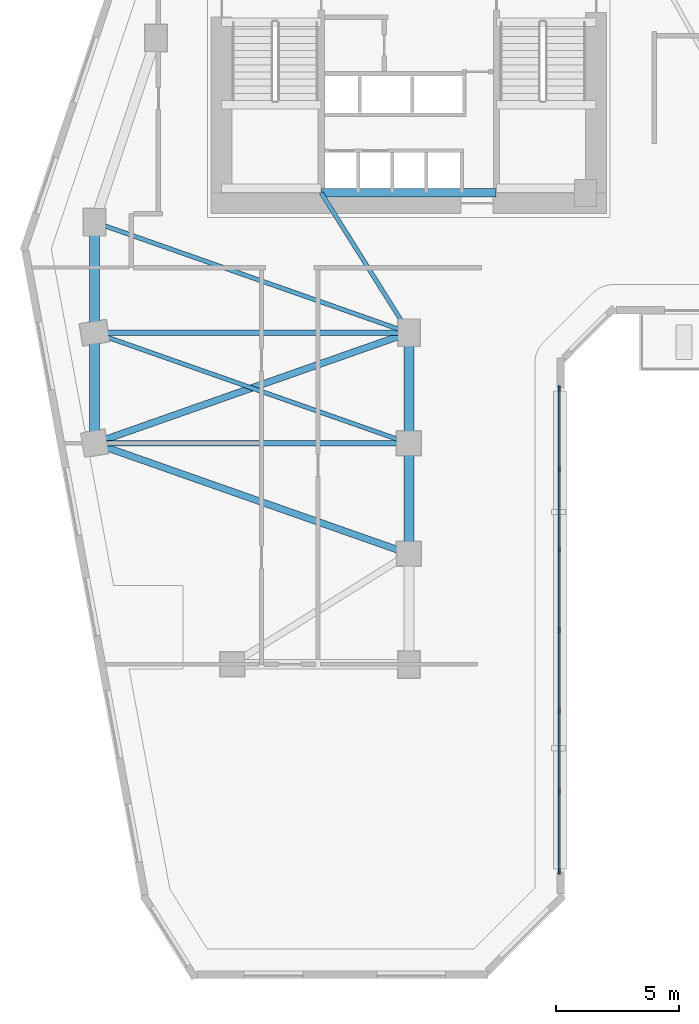
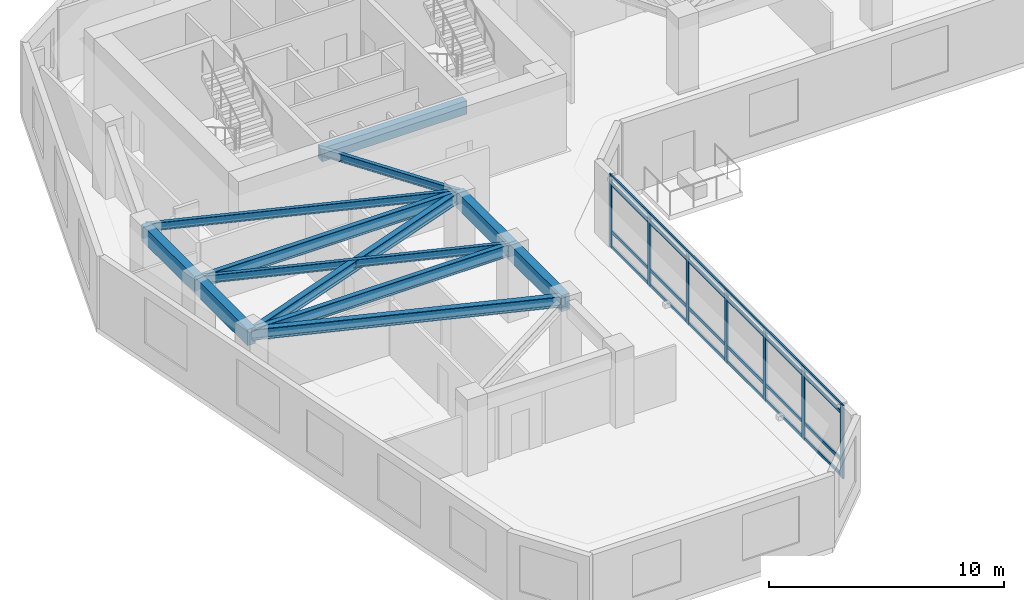
# One storey, part 2 of 12: 12 beams, 11 members, 1 element without a shape of its own.
"""IFC4 building model written with IfcOpenShell, lengths in metres."""

from ifc_helpers import new_model, si_unit, direction, frame, origin, origin_2d, place, context, subcontext, project, spatial, rectangle, i_section, extrude, source, transform, mapped, material, material_profile, profile_set, type_object, element, aggregate, save


model = new_model("IFC4")

# Units and contexts
model_context = context("Model", 3, precision=1e-05, world=origin(), true_north=direction((0.0, 1.0)))
body_context = subcontext(model_context, "Body", "Model", "MODEL_VIEW")
ifc_project = project(units=[si_unit("LENGTHUNIT", "METRE"), si_unit("AREAUNIT", "SQUARE_METRE"), si_unit("VOLUMEUNIT", "CUBIC_METRE"), si_unit("PLANEANGLEUNIT", "RADIAN"), si_unit("MASSUNIT", "GRAM", prefix="KILO")], contexts=[model_context])

# Site, building, storey
site_placement = place(None, origin())
site = spatial("IfcSite", under=ifc_project, at=site_placement, CompositionType="ELEMENT")
building_placement = place(site_placement, origin())
building = spatial("IfcBuilding", under=site, at=building_placement, Name="Calvemar Wedge Station Tower", CompositionType="ELEMENT")
storey_placement = place(building_placement, frame((0.0, 0.0, 39.0)))
storey = spatial("IfcBuildingStorey", under=building, at=storey_placement, Name="L09", CompositionType="ELEMENT", Elevation=39.0)

# Beams
ifc_material_1 = material(Name="Concrete C60", Category="concrete")
ifc_material_profile_1 = material_profile(ifc_material_1, rectangle(XDim=0.39990234375, YDim=0.85009765625, at=origin_2d()), Name="RC400x850")
ifc_profile_set_1 = profile_set([ifc_material_profile_1], Name="Concrete C60")
beam_type_1 = type_object("IfcBeamType", Name="BM-SP1-850", PredefinedType="SPANDREL", material=ifc_profile_set_1)
shared_shape_1 = source(origin(), body_context, "Body", "SweptSolid", [
    extrude(rectangle(XDim=0.39990234375, YDim=0.85009765625, at=origin_2d()), origin(), (0.0, 0.0, 1.0), 4.5),
])
for number, where, z_axis, x_axis, name in (
    (1, (11.0, 33.0, 3.324951171875), (0.0, -1.0, 0.0), (1.0, 0.0, 0.0), "Storey L09 Spandrel T-NW1-T-SW1"),
    (2, (11.0, 28.5, 3.324951171875), (0.0, -1.0, 0.0), (1.0, 0.0, 0.0), "Storey L09 Spandrel T-SW1-T-SW2"),
    (3, (23.800048828125, 28.5, 3.324951171875), (0.0, -1.0, 0.0), (1.0, 0.0, 0.0), "Storey L09 Spandrel T-SE1-T-SE2"),
    (4, (23.800048828125, 24.0, 3.324951171875), (0.0, -1.0, 0.0), (1.0, 0.0, 0.0), "Storey L09 Spandrel T-SE2-T-SE3"),
):
    element("IfcBeam", number, at=place(storey_placement, frame(where, z_axis=z_axis, x_axis=x_axis)), inside=storey, type_object=beam_type_1, Name=name, PredefinedType="SPANDREL", context=body_context, shape_type="MappedRepresentation", body=[
        mapped(shared_shape_1, transform((0.0, 0.0, 0.0), scale=1.0)),
    ])
ifc_material_2 = material(Name="Structural steel ASTM A572 Grade 50", Category="steel")
ifc_material_profile_2 = material_profile(ifc_material_2, i_section(OverallWidth=0.22998046875, OverallDepth=0.616943359375, WebThickness=0.01318359375, FlangeThickness=0.022216796875, FilletRadius=0.012939453125, at=origin_2d()), Name="W610x140")
ifc_profile_set_2 = profile_set([ifc_material_profile_2], Name="Structural steel ASTM A572 Grade 50")
beam_type_2 = type_object("IfcBeamType", Name="BM-SB2-W610", PredefinedType="BEAM", material=ifc_profile_set_2)
shared_shape_2 = source(origin(), body_context, "Body", "SweptSolid", [
    extrude(i_section(OverallWidth=0.22998046875, OverallDepth=0.616943359375, WebThickness=0.01318359375, FlangeThickness=0.022216796875, FilletRadius=0.012939453125, at=origin_2d()), origin(), (0.0, 0.0, 1.0), 12.800048828125),
])
for number, where, z_axis, x_axis, name in (
    (5, (11.0, 28.5, 3.44140625), (1.0, 0.0, 0.0), (0.0, 1.0, 0.0), "Storey L09 Floor Beam T-SW1-T-SE1"),
    (6, (11.0, 24.0, 3.44140625), (1.0, 0.0, 0.0), (0.0, 1.0, 0.0), "Storey L09 Floor Beam T-SW2-T-SE2"),
):
    element("IfcBeam", number, at=place(storey_placement, frame(where, z_axis=z_axis, x_axis=x_axis)), inside=storey, type_object=beam_type_2, Name=name, PredefinedType="BEAM", context=body_context, shape_type="MappedRepresentation", body=[
        mapped(shared_shape_2, transform((0.0, 0.0, 0.0), scale=1.0)),
    ])
ifc_material_profile_3 = material_profile(ifc_material_2, i_section(OverallWidth=0.177978515625, OverallDepth=0.406982421875, WebThickness=0.0078125, FlangeThickness=0.0126953125, FilletRadius=0.010009765625, at=origin_2d()), Name="W410x60")
ifc_profile_set_3 = profile_set([ifc_material_profile_3], Name="Structural steel ASTM A572 Grade 50")
beam_type_3 = type_object("IfcBeamType", Name="BM-J3-W410", PredefinedType="JOIST", material=ifc_profile_set_3)
shared_shape_3 = source(origin(), body_context, "Body", "SweptSolid", [
    extrude(i_section(OverallWidth=0.177978515625, OverallDepth=0.406982421875, WebThickness=0.0078125, FlangeThickness=0.0126953125, FilletRadius=0.010009765625, at=origin_2d()), origin(), (0.0, 0.0, 1.0), 13.568115234375),
])
for number, where, z_axis, x_axis, name in (
    (7, (11.0, 33.0, 3.54638671875), (0.943398221169, -0.331662171939, 0.0), (0.331662171939, 0.943398221169, 0.0), "Storey L09 Floor Beam T-NW1-T-SE1"),
    (8, (11.0, 28.5, 3.54638671875), (0.943398221169, -0.331662171939, 0.0), (0.331662171939, 0.943398221169, 0.0), "Storey L09 Floor Beam T-SW1-T-SE2"),
):
    element("IfcBeam", number, at=place(storey_placement, frame(where, z_axis=z_axis, x_axis=x_axis)), inside=storey, type_object=beam_type_3, Name=name, PredefinedType="JOIST", context=body_context, shape_type="MappedRepresentation", body=[
        mapped(shared_shape_3, transform((0.0, 0.0, 0.0), scale=1.0)),
    ])
ifc_material_profile_4 = material_profile(ifc_material_2, i_section(OverallWidth=0.279052734375, OverallDepth=0.553955078125, WebThickness=0.017578125, FlangeThickness=0.029541015625, FilletRadius=0.014892578125, at=origin_2d()), Name="W530x196")
ifc_profile_set_4 = profile_set([ifc_material_profile_4], Name="Structural steel ASTM A572 Grade 50")
beam_type_4 = type_object("IfcBeamType", Name="BM-SB3-W530H", PredefinedType="BEAM", material=ifc_profile_set_4)
shared_shape_4 = source(origin(), body_context, "Body", "SweptSolid", [
    extrude(i_section(OverallWidth=0.279052734375, OverallDepth=0.553955078125, WebThickness=0.017578125, FlangeThickness=0.029541015625, FilletRadius=0.014892578125, at=origin_2d()), origin(), (0.0, 0.0, 1.0), 13.568115234375),
])
for number, where, z_axis, x_axis, name in (
    (9, (23.800048828125, 28.5, 3.472900390625), (-0.943398221169, -0.331662171939, 0.0), (0.331662171939, -0.943398221169, 0.0), "Storey L09 Floor Beam T-SE1-T-SW2"),
    (10, (11.0, 24.0, 3.472900390625), (0.943398221169, -0.331662171939, 0.0), (0.331662171939, 0.943398221169, 0.0), "Storey L09 Floor Beam T-SW2-T-SE3"),
):
    element("IfcBeam", number, at=place(storey_placement, frame(where, z_axis=z_axis, x_axis=x_axis)), inside=storey, type_object=beam_type_4, Name=name, PredefinedType="BEAM", context=body_context, shape_type="MappedRepresentation", body=[
        mapped(shared_shape_4, transform((0.0, 0.0, 0.0), scale=1.0)),
    ])
shared_shape_5 = source(origin(), body_context, "Body", "SweptSolid", [
    extrude(i_section(OverallWidth=0.177978515625, OverallDepth=0.406982421875, WebThickness=0.0078125, FlangeThickness=0.0126953125, FilletRadius=0.010009765625, at=origin_2d()), origin(), (0.0, 0.0, 1.0), 6.7255859375),
])
beam_1_placement = place(storey_placement, frame((20.22998046875, 34.199951171875, 3.54638671875), z_axis=(0.530811158438, -0.847490126242, 0.0), x_axis=(0.847490126242, 0.530811158438, 0.0)))
element("IfcBeam", 11, at=beam_1_placement, inside=storey, type_object=beam_type_3, Name="Storey L09 Core-to-Column Joist CJ-S2", PredefinedType="JOIST", context=body_context, shape_type="MappedRepresentation", body=[
    mapped(shared_shape_5, transform((0.0, 0.0, 0.0), scale=1.0)),
])
ifc_material_3 = material(Name="Concrete C70", Category="concrete")
ifc_material_profile_5 = material_profile(ifc_material_3, rectangle(XDim=0.35009765625, YDim=0.699951171875, at=origin_2d()), Name="RC350x700")
ifc_profile_set_5 = profile_set([ifc_material_profile_5], Name="Concrete C70")
beam_type_5 = type_object("IfcBeamType", Name="BM-LN1-700", PredefinedType="LINTEL", material=ifc_profile_set_5)
shared_shape_6 = source(origin(), body_context, "Body", "SweptSolid", [
    extrude(rectangle(XDim=0.35009765625, YDim=0.699951171875, at=origin_2d()), origin(), (0.0, 0.0, 1.0), 7.10009765625),
])
beam_2_placement = place(storey_placement, frame((20.25, 34.199951171875, 3.39990234375), z_axis=(1.0, 0.0, 0.0), x_axis=(0.0, 1.0, 0.0)))
element("IfcBeam", 12, at=beam_2_placement, inside=storey, type_object=beam_type_5, Name="Storey L09 Core Coupling Lintel South", PredefinedType="LINTEL", context=body_context, shape_type="MappedRepresentation", body=[
    mapped(shared_shape_6, transform((0.0, 0.0, 0.0), scale=1.0)),
])

# Curtain wall, members
ifc_material_4 = material(Name="Anodised aluminium 6063-T6", Category="aluminium")
curtain_wall_type = type_object("IfcCurtainWallType", Name="CW1", PredefinedType="NOTDEFINED", material=ifc_material_4)
curtain_wall_placement = place(storey_placement, origin())
curtain_wall = element("IfcCurtainWall", 13, at=curtain_wall_placement, inside=storey, type_object=curtain_wall_type, Name="Storey L09 CW1 Recessed Unitised Curtain Wall 4", PredefinedType="NOTDEFINED")
ifc_material_profile_6 = material_profile(ifc_material_4, rectangle(XDim=0.080078125, YDim=0.219970703125, at=origin_2d()), Name="AL-MUL-80x220")
ifc_profile_set_6 = profile_set([ifc_material_profile_6], Name="Anodised aluminium 6063-T6")
member_type_1 = type_object("IfcMemberType", Name="CW1-MUL", PredefinedType="MULLION", material=ifc_profile_set_6)
shared_shape_7 = source(origin(), body_context, "Body", "SweptSolid", [
    extrude(rectangle(XDim=0.080078125, YDim=0.219970703125, at=origin_2d()), origin(), (0.0, 0.0, 1.0), 3.800048828125),
])
member_1_placement = place(storey_placement, frame((29.91796875, 6.56201171875, -0.050048828125), z_axis=(0.0, 0.0, 1.0), x_axis=(1.0, 0.0, 0.0)))
member_1 = element("IfcMember", 14, at=member_1_placement, type_object=member_type_1, Name="CW1 mullion 1", PredefinedType="MULLION", context=body_context, shape_type="MappedRepresentation", body=[
    mapped(shared_shape_7, transform((0.0, 0.0, 0.0), scale=1.0)),
])
member_2_placement = place(storey_placement, frame((29.91796875, 9.8388671875, -0.050048828125), z_axis=(0.0, 0.0, 1.0), x_axis=(1.0, 0.0, 0.0)))
member_2 = element("IfcMember", 15, at=member_2_placement, type_object=member_type_1, Name="CW1 mullion 2", PredefinedType="MULLION", context=body_context, shape_type="MappedRepresentation", body=[
    mapped(shared_shape_7, transform((0.0, 0.0, 0.0), scale=1.0)),
])
member_3_placement = place(storey_placement, frame((29.91796875, 13.115478515625, -0.050048828125), z_axis=(0.0, 0.0, 1.0), x_axis=(1.0, 0.0, 0.0)))
member_3 = element("IfcMember", 16, at=member_3_placement, type_object=member_type_1, Name="CW1 mullion 3", PredefinedType="MULLION", context=body_context, shape_type="MappedRepresentation", body=[
    mapped(shared_shape_7, transform((0.0, 0.0, 0.0), scale=1.0)),
])
member_4_placement = place(storey_placement, frame((29.91796875, 16.39208984375, -0.050048828125), z_axis=(0.0, 0.0, 1.0), x_axis=(1.0, 0.0, 0.0)))
member_4 = element("IfcMember", 17, at=member_4_placement, type_object=member_type_1, Name="CW1 mullion 4", PredefinedType="MULLION", context=body_context, shape_type="MappedRepresentation", body=[
    mapped(shared_shape_7, transform((0.0, 0.0, 0.0), scale=1.0)),
])
member_5_placement = place(storey_placement, frame((29.91796875, 19.668701171875, -0.050048828125), z_axis=(0.0, 0.0, 1.0), x_axis=(1.0, 0.0, 0.0)))
member_5 = element("IfcMember", 18, at=member_5_placement, type_object=member_type_1, Name="CW1 mullion 5", PredefinedType="MULLION", context=body_context, shape_type="MappedRepresentation", body=[
    mapped(shared_shape_7, transform((0.0, 0.0, 0.0), scale=1.0)),
])
member_6_placement = place(storey_placement, frame((29.91796875, 22.9453125, -0.050048828125), z_axis=(0.0, 0.0, 1.0), x_axis=(1.0, 0.0, 0.0)))
member_6 = element("IfcMember", 19, at=member_6_placement, type_object=member_type_1, Name="CW1 mullion 6", PredefinedType="MULLION", context=body_context, shape_type="MappedRepresentation", body=[
    mapped(shared_shape_7, transform((0.0, 0.0, 0.0), scale=1.0)),
])
member_7_placement = place(storey_placement, frame((29.91796875, 26.22216796875, -0.050048828125), z_axis=(0.0, 0.0, 1.0), x_axis=(1.0, 0.0, 0.0)))
member_7 = element("IfcMember", 20, at=member_7_placement, type_object=member_type_1, Name="CW1 mullion 7", PredefinedType="MULLION", context=body_context, shape_type="MappedRepresentation", body=[
    mapped(shared_shape_7, transform((0.0, 0.0, 0.0), scale=1.0)),
])
ifc_material_profile_7 = material_profile(ifc_material_4, rectangle(XDim=0.080078125, YDim=0.159912109375, at=origin_2d()), Name="AL-TRN-80x160")
ifc_profile_set_7 = profile_set([ifc_material_profile_7], Name="Anodised aluminium 6063-T6")
member_type_2 = type_object("IfcMemberType", Name="CW1-TRN", PredefinedType="USERDEFINED", material=ifc_profile_set_7)
shared_shape_8 = source(origin(), body_context, "Body", "SweptSolid", [
    extrude(rectangle(XDim=0.080078125, YDim=0.159912109375, at=origin_2d()), origin(), (0.0, 0.0, 1.0), 19.66015625),
])
member_8_placement = place(storey_placement, frame((29.91796875, 6.56201171875, 0.06005859375), z_axis=(0.0, 1.0, 0.0), x_axis=(-1.0, 0.0, 0.0)))
member_8 = element("IfcMember", 21, at=member_8_placement, type_object=member_type_2, Name="CW1 transom 1", ObjectType="TRANSOM", PredefinedType="USERDEFINED", context=body_context, shape_type="MappedRepresentation", body=[
    mapped(shared_shape_8, transform((0.0, 0.0, 0.0), scale=1.0)),
])
member_9_placement = place(storey_placement, frame((29.91796875, 6.56201171875, 0.85009765625), z_axis=(0.0, 1.0, 0.0), x_axis=(-1.0, 0.0, 0.0)))
member_9 = element("IfcMember", 22, at=member_9_placement, type_object=member_type_2, Name="CW1 transom 2", ObjectType="TRANSOM", PredefinedType="USERDEFINED", context=body_context, shape_type="MappedRepresentation", body=[
    mapped(shared_shape_8, transform((0.0, 0.0, 0.0), scale=1.0)),
])
member_10_placement = place(storey_placement, frame((29.91796875, 6.56201171875, 3.300048828125), z_axis=(0.0, 1.0, 0.0), x_axis=(-1.0, 0.0, 0.0)))
member_10 = element("IfcMember", 23, at=member_10_placement, type_object=member_type_2, Name="CW1 transom 3", ObjectType="TRANSOM", PredefinedType="USERDEFINED", context=body_context, shape_type="MappedRepresentation", body=[
    mapped(shared_shape_8, transform((0.0, 0.0, 0.0), scale=1.0)),
])
member_11_placement = place(storey_placement, frame((29.91796875, 6.56201171875, 3.68994140625), z_axis=(0.0, 1.0, 0.0), x_axis=(-1.0, 0.0, 0.0)))
member_11 = element("IfcMember", 24, at=member_11_placement, type_object=member_type_2, Name="CW1 transom 4", ObjectType="TRANSOM", PredefinedType="USERDEFINED", context=body_context, shape_type="MappedRepresentation", body=[
    mapped(shared_shape_8, transform((0.0, 0.0, 0.0), scale=1.0)),
])
aggregate(curtain_wall, [member_1, member_2, member_3, member_4, member_5, member_6, member_7, member_8, member_9, member_10, member_11])

save(model, "model.ifc")
